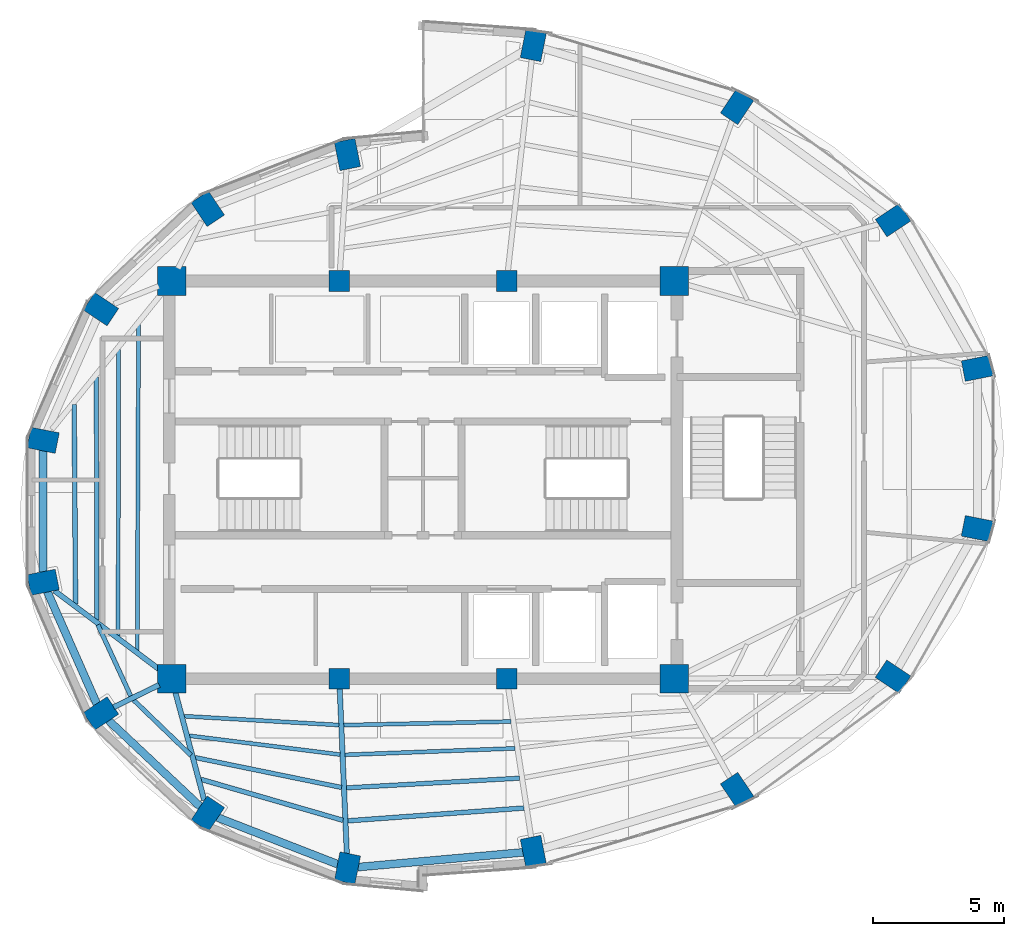
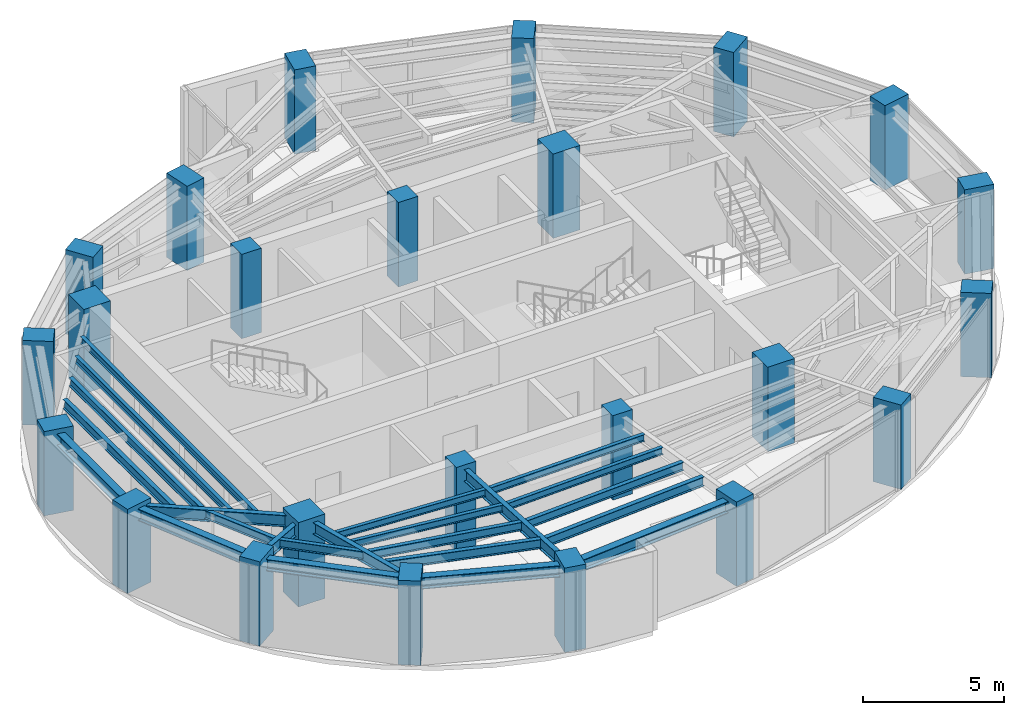
# One storey, part 1 of 15: 24 columns, 23 beams.
"""IFC4 building model written with IfcOpenShell, lengths in metres."""

from ifc_helpers import new_model, si_unit, direction, frame, origin, origin_2d, place, context, subcontext, project, spatial, rectangle, i_section, extrude, material, material_profile, profile_set, type_object, element, save


model = new_model("IFC4")

# Units and contexts
model_context = context("Model", 3, precision=1e-05, world=origin(), true_north=direction((0.0, 1.0)))
body_context = subcontext(model_context, "Body", "Model", "MODEL_VIEW")
ifc_project = project(units=[si_unit("LENGTHUNIT", "METRE"), si_unit("AREAUNIT", "SQUARE_METRE"), si_unit("VOLUMEUNIT", "CUBIC_METRE"), si_unit("PLANEANGLEUNIT", "RADIAN"), si_unit("MASSUNIT", "GRAM", prefix="KILO")], contexts=[model_context])

# Site, building, storey
site_placement = place(None, origin())
site = spatial("IfcSite", under=ifc_project, at=site_placement, CompositionType="ELEMENT")
building_placement = place(site_placement, origin())
building = spatial("IfcBuilding", under=site, at=building_placement, Name="Lazwardi Medical Tower", CompositionType="ELEMENT")
storey_placement = place(building_placement, frame((0.0, 0.0, 280.56005859375)))
storey = spatial("IfcBuildingStorey", under=building, at=storey_placement, Name="L73", CompositionType="ELEMENT", Elevation=280.56005859375)

# Columns
ifc_material_1 = material(Name="Concrete C80/95", Category="concrete")
ifc_material_profile_1 = material_profile(ifc_material_1, rectangle(XDim=1.10009765625, YDim=1.10009765625, at=origin_2d()), Name="RC 1100x1100")
ifc_profile_set_1 = profile_set([ifc_material_profile_1], Name="Concrete C80/95")
column_type_1 = type_object("IfcColumnType", Name="COL-CC-L", PredefinedType="COLUMN", material=ifc_profile_set_1)
for number, where, z_axis, x_axis, name in (
    (1, (26.39990234375, 20.39990234375, 0.0), (0.0, 0.0, 1.0), (1.0, 0.0, 0.0), "Core column CC-01 CC1 L73"),
    (2, (45.60009765625, 20.39990234375, 0.0), (0.0, 0.0, 1.0), (1.0, 0.0, 0.0), "Core column CC-01 CC4 L73"),
    (3, (45.60009765625, 35.60009765625, 0.0), (0.0, 0.0, 1.0), (1.0, 0.0, 0.0), "Core column CC-01 CC5 L73"),
    (4, (26.39990234375, 35.60009765625, 0.0), (0.0, 0.0, 1.0), (1.0, 0.0, 0.0), "Core column CC-01 CC8 L73"),
):
    element("IfcColumn", number, at=place(storey_placement, frame(where, z_axis=z_axis, x_axis=x_axis)), inside=storey, type_object=column_type_1, Name=name, PredefinedType="COLUMN", context=body_context, shape_type="SweptSolid", body=[
        extrude(rectangle(XDim=1.10009765625, YDim=1.10009765625, at=origin_2d()), origin(), (0.0, 0.0, 1.0), 3.64794921875),
    ])
ifc_material_2 = material(Name="Concrete C60/75", Category="concrete")
ifc_material_profile_2 = material_profile(ifc_material_2, rectangle(XDim=0.800048828125, YDim=0.800048828125, at=origin_2d()), Name="RC 800x800")
ifc_profile_set_2 = profile_set([ifc_material_profile_2], Name="Concrete C60/75")
column_type_2 = type_object("IfcColumnType", Name="COL-CC-U", PredefinedType="COLUMN", material=ifc_profile_set_2)
for number, where, z_axis, x_axis, name in (
    (5, (32.800048828125, 20.39990234375, 0.0), (0.0, 0.0, 1.0), (1.0, 0.0, 0.0), "Core column CC-03 CC2 L73"),
    (6, (39.199951171875, 20.39990234375, 0.0), (0.0, 0.0, 1.0), (1.0, 0.0, 0.0), "Core column CC-03 CC3 L73"),
    (7, (39.199951171875, 35.60009765625, 0.0), (0.0, 0.0, 1.0), (1.0, 0.0, 0.0), "Core column CC-03 CC6 L73"),
    (8, (32.800048828125, 35.60009765625, 0.0), (0.0, 0.0, 1.0), (1.0, 0.0, 0.0), "Core column CC-03 CC7 L73"),
):
    element("IfcColumn", number, at=place(storey_placement, frame(where, z_axis=z_axis, x_axis=x_axis)), inside=storey, type_object=column_type_2, Name=name, PredefinedType="COLUMN", context=body_context, shape_type="SweptSolid", body=[
        extrude(rectangle(XDim=0.800048828125, YDim=0.800048828125, at=origin_2d()), origin(), (0.0, 0.0, 1.0), 3.64794921875),
    ])
ifc_material_profile_3 = material_profile(ifc_material_2, rectangle(XDim=1.10009765625, YDim=0.800048828125, at=origin_2d()), Name="CFT-RECT 1100x800")
ifc_profile_set_3 = profile_set([ifc_material_profile_3], Name="Concrete C60/75")
column_type_3 = type_object("IfcColumnType", Name="COL-MC-Z4", PredefinedType="COLUMN", material=ifc_profile_set_3)
for number, where, z_axis, x_axis, name in (
    (9, (40.214111328125, 13.8017578125, 0.0), (0.0, 0.0, 1.0), (0.195090322016, -0.980785280403, 0.0), "Mega column MC-06 M01 L73"),
    (10, (48.000244140625, 16.14599609375, 0.0), (0.0, 0.0, 1.0), (0.55557023302, -0.831469612303, 0.0), "Mega column MC-06 M02 L73"),
    (11, (53.959716796875, 20.4775390625, 0.0), (0.0, 0.0, 1.0), (0.831469612303, -0.55557023302, 0.0), "Mega column MC-06 M03 L73"),
    (12, (57.18505859375, 26.13720703125, 0.0), (0.0, 0.0, 1.0), (0.980785280403, -0.195090322016, 0.0), "Mega column MC-06 M04 L73"),
    (13, (57.18505859375, 32.262939453125, 0.0), (0.0, 0.0, 1.0), (0.980785280403, 0.195090322016, 0.0), "Mega column MC-06 M05 L73"),
    (14, (53.959716796875, 37.922607421875, 0.0), (0.0, 0.0, 1.0), (0.831469612303, 0.55557023302, 0.0), "Mega column MC-06 M06 L73"),
    (15, (48.000244140625, 42.254150390625, 0.0), (0.0, 0.0, 1.0), (0.55557023302, 0.831469612303, 0.0), "Mega column MC-06 M07 L73"),
    (16, (40.214111328125, 44.598388671875, 0.0), (0.0, 0.0, 1.0), (0.195090322016, 0.980785280403, 0.0), "Mega column MC-06 M08 L73"),
    (17, (33.11279296875, 40.432861328125, 0.0), (0.0, 0.0, 1.0), (-0.195090322016, 0.980785280403, 0.0), "Mega column MC-06 M09 L73"),
    (18, (27.777587890625, 38.357421875, 0.0), (0.0, 0.0, 1.0), (-0.55557023302, 0.831469612303, 0.0), "Mega column MC-06 M10 L73"),
    (19, (23.694091796875, 34.5224609375, 0.0), (0.0, 0.0, 1.0), (-0.831469612303, 0.55557023302, 0.0), "Mega column MC-06 M11 L73"),
    (20, (21.484375, 29.51171875, 0.0), (0.0, 0.0, 1.0), (-0.980785280403, 0.195090322016, 0.0), "Mega column MC-06 M12 L73"),
    (21, (21.484375, 24.088134765625, 0.0), (0.0, 0.0, 1.0), (-0.980785280403, -0.195090322016, 0.0), "Mega column MC-06 M13 L73"),
    (22, (23.694091796875, 19.07763671875, 0.0), (0.0, 0.0, 1.0), (-0.831469612303, -0.55557023302, 0.0), "Mega column MC-06 M14 L73"),
    (23, (27.777587890625, 15.24267578125, 0.0), (0.0, 0.0, 1.0), (-0.55557023302, -0.831469612303, 0.0), "Mega column MC-06 M15 L73"),
    (24, (33.11279296875, 13.1669921875, 0.0), (0.0, 0.0, 1.0), (-0.195090322016, -0.980785280403, 0.0), "Mega column MC-06 M16 L73"),
):
    element("IfcColumn", number, at=place(storey_placement, frame(where, z_axis=z_axis, x_axis=x_axis)), inside=storey, type_object=column_type_3, Name=name, PredefinedType="COLUMN", context=body_context, shape_type="SweptSolid", body=[
        extrude(rectangle(XDim=1.10009765625, YDim=0.800048828125, at=origin_2d()), origin(), (0.0, 0.0, 1.0), 3.64794921875),
    ])

# Beams
ifc_material_3 = material(Name="Steel S355", Category="steel")
ifc_material_profile_4 = material_profile(ifc_material_3, i_section(OverallWidth=0.300048828125, OverallDepth=0.5, WebThickness=0.014404296875, FlangeThickness=0.028076171875, at=origin_2d()), Name="HEB 500")
ifc_profile_set_4 = profile_set([ifc_material_profile_4], Name="Steel S355")
beam_type_1 = type_object("IfcBeamType", Name="BM-RB-Z4", PredefinedType="BEAM", material=ifc_profile_set_4)
beam_1_placement = place(storey_placement, frame((21.484375, 29.121826171875, 3.197998046875), z_axis=(0.0, -1.0, 0.0), x_axis=(1.0, 0.0, 0.0)))
element("IfcBeam", 25, at=beam_1_placement, inside=storey, type_object=beam_type_1, Name="Ring beam RB-05 B12 L73", PredefinedType="BEAM", context=body_context, shape_type="SweptSolid", body=[
    extrude(i_section(OverallWidth=0.300048828125, OverallDepth=0.5, WebThickness=0.014404296875, FlangeThickness=0.028076171875, at=origin_2d()), origin(), (0.0, 0.0, 1.0), 4.6435546875),
])
beam_2_placement = place(storey_placement, frame((21.641845703125, 23.7314453125, 3.197998046875), z_axis=(0.403503258239, -0.914978207713, 0.0), x_axis=(0.914978207713, 0.403503258239, 0.0)))
element("IfcBeam", 26, at=beam_2_placement, inside=storey, type_object=beam_type_1, Name="Ring beam RB-05 B13 L73", PredefinedType="BEAM", context=body_context, shape_type="SweptSolid", body=[
    extrude(i_section(OverallWidth=0.300048828125, OverallDepth=0.5, WebThickness=0.014404296875, FlangeThickness=0.028076171875, at=origin_2d()), origin(), (0.0, 0.0, 1.0), 4.696533203125),
])
beam_3_placement = place(storey_placement, frame((23.978515625, 18.810546875, 3.197998046875), z_axis=(0.728935349177, -0.684582541934, 0.0), x_axis=(0.684582541934, 0.728935349177, 0.0)))
element("IfcBeam", 27, at=beam_3_placement, inside=storey, type_object=beam_type_1, Name="Ring beam RB-05 B14 L73", PredefinedType="BEAM", context=body_context, shape_type="SweptSolid", body=[
    extrude(i_section(OverallWidth=0.300048828125, OverallDepth=0.5, WebThickness=0.014404296875, FlangeThickness=0.028076171875, at=origin_2d()), origin(), (0.0, 0.0, 1.0), 4.822021484375),
])
beam_4_placement = place(storey_placement, frame((28.14111328125, 15.101318359375, 3.197998046875), z_axis=(0.931959260109, -0.362563011761, 0.0), x_axis=(0.362563011761, 0.931959260109, 0.0)))
element("IfcBeam", 28, at=beam_4_placement, inside=storey, type_object=beam_type_1, Name="Ring beam RB-05 B15 L73", PredefinedType="BEAM", context=body_context, shape_type="SweptSolid", body=[
    extrude(i_section(OverallWidth=0.300048828125, OverallDepth=0.5, WebThickness=0.014404296875, FlangeThickness=0.028076171875, at=origin_2d()), origin(), (0.0, 0.0, 1.0), 4.944580078125),
])
beam_5_placement = place(storey_placement, frame((33.501220703125, 13.201904296875, 3.197998046875), z_axis=(0.996030403479, 0.089013680669, 0.0), x_axis=(-0.089013680669, 0.996030403479, 0.0)))
element("IfcBeam", 29, at=beam_5_placement, inside=storey, type_object=beam_type_1, Name="Ring beam RB-05 B16 L73", PredefinedType="BEAM", context=body_context, shape_type="SweptSolid", body=[
    extrude(i_section(OverallWidth=0.300048828125, OverallDepth=0.5, WebThickness=0.014404296875, FlangeThickness=0.028076171875, at=origin_2d()), origin(), (0.0, 0.0, 1.0), 6.349365234375),
])
ifc_material_profile_5 = material_profile(ifc_material_3, i_section(OverallWidth=0.199951171875, OverallDepth=0.5, WebThickness=0.01025390625, FlangeThickness=0.01611328125, at=origin_2d()), Name="IPE 500")
ifc_profile_set_5 = profile_set([ifc_material_profile_5], Name="Steel S355")
beam_type_2 = type_object("IfcBeamType", Name="BM-RG-W3", PredefinedType="BEAM", material=ifc_profile_set_5)
beam_6_placement = place(storey_placement, frame((21.912353515625, 23.76708984375, 3.197998046875), z_axis=(0.79990185954, -0.600130831657, 0.0), x_axis=(0.600130831657, 0.79990185954, 0.0)))
element("IfcBeam", 30, at=beam_6_placement, inside=storey, type_object=beam_type_2, Name="Radial girder RG-04 R13 L73", PredefinedType="BEAM", context=body_context, shape_type="SweptSolid", body=[
    extrude(i_section(OverallWidth=0.199951171875, OverallDepth=0.5, WebThickness=0.01025390625, FlangeThickness=0.01611328125, at=origin_2d()), origin(), (0.0, 0.0, 1.0), 5.075439453125),
])
beam_7_placement = place(storey_placement, frame((24.1748046875, 19.3125, 3.197998046875), z_axis=(0.898439482653, 0.43909736507, 0.0), x_axis=(-0.43909736507, 0.898439482653, 0.0)))
element("IfcBeam", 31, at=beam_7_placement, inside=storey, type_object=beam_type_2, Name="Radial girder RG-04 R14 L73", PredefinedType="BEAM", context=body_context, shape_type="SweptSolid", body=[
    extrude(i_section(OverallWidth=0.199951171875, OverallDepth=0.5, WebThickness=0.01025390625, FlangeThickness=0.01611328125, at=origin_2d()), origin(), (0.0, 0.0, 1.0), 1.941650390625),
])
beam_8_placement = place(storey_placement, frame((27.639404296875, 15.759521484375, 3.197998046875), z_axis=(-0.25803645922, 0.966135179834, 0.0), x_axis=(-0.966135179834, -0.25803645922, 0.0)))
element("IfcBeam", 32, at=beam_8_placement, inside=storey, type_object=beam_type_2, Name="Radial girder RG-04 R15 L73", PredefinedType="BEAM", context=body_context, shape_type="SweptSolid", body=[
    extrude(i_section(OverallWidth=0.199951171875, OverallDepth=0.5, WebThickness=0.01025390625, FlangeThickness=0.01611328125, at=origin_2d()), origin(), (0.0, 0.0, 1.0), 4.26806640625),
])
beam_9_placement = place(storey_placement, frame((33.089599609375, 13.70166015625, 3.197998046875), z_axis=(-0.043190778794, 0.999066842923, 0.0), x_axis=(-0.999066842923, -0.043190778794, 0.0)))
element("IfcBeam", 33, at=beam_9_placement, inside=storey, type_object=beam_type_2, Name="Radial girder RG-04 R16 L73", PredefinedType="BEAM", context=body_context, shape_type="SweptSolid", body=[
    extrude(i_section(OverallWidth=0.199951171875, OverallDepth=0.5, WebThickness=0.01025390625, FlangeThickness=0.01611328125, at=origin_2d()), origin(), (0.0, 0.0, 1.0), 6.319580078125),
])
ifc_material_profile_6 = material_profile(ifc_material_3, i_section(OverallWidth=0.179931640625, OverallDepth=0.39990234375, WebThickness=0.008544921875, FlangeThickness=0.013427734375, at=origin_2d()), Name="IPE 400")
ifc_profile_set_6 = profile_set([ifc_material_profile_6], Name="Steel S355")
beam_type_3 = type_object("IfcBeamType", Name="BM-SJ-01", PredefinedType="JOIST", material=ifc_profile_set_6)
beam_10_placement = place(storey_placement, frame((22.669921875, 30.88427734375, 3.248046875), z_axis=(0.007038023905, -0.999975232803, 0.0), x_axis=(0.999975232803, 0.007038023905, 0.0)))
element("IfcBeam", 34, at=beam_10_placement, inside=storey, type_object=beam_type_3, Name="Secondary joist SJ-01 R1 B12 L73", PredefinedType="JOIST", context=body_context, shape_type="SweptSolid", body=[
    extrude(i_section(OverallWidth=0.179931640625, OverallDepth=0.39990234375, WebThickness=0.008544921875, FlangeThickness=0.013427734375, at=origin_2d()), origin(), (0.0, 0.0, 1.0), 7.631591796875),
])
beam_11_placement = place(storey_placement, frame((27.510498046875, 16.557861328125, 3.248046875), z_axis=(0.960828455467, -0.277143787887, 0.0), x_axis=(0.277143787887, 0.960828455467, 0.0)))
element("IfcBeam", 35, at=beam_11_placement, inside=storey, type_object=beam_type_3, Name="Secondary joist SJ-01 R1 B15 L73", PredefinedType="JOIST", context=body_context, shape_type="SweptSolid", body=[
    extrude(i_section(OverallWidth=0.179931640625, OverallDepth=0.39990234375, WebThickness=0.008544921875, FlangeThickness=0.013427734375, at=origin_2d()), origin(), (0.0, 0.0, 1.0), 5.654541015625),
])
beam_12_placement = place(storey_placement, frame((33.129638671875, 14.97119140625, 3.248046875), z_axis=(0.997360105889, 0.072614180298, 0.0), x_axis=(-0.072614180298, 0.997360105889, 0.0)))
element("IfcBeam", 36, at=beam_12_placement, inside=storey, type_object=beam_type_3, Name="Secondary joist SJ-01 R1 B16 L73", PredefinedType="JOIST", context=body_context, shape_type="SweptSolid", body=[
    extrude(i_section(OverallWidth=0.179931640625, OverallDepth=0.39990234375, WebThickness=0.008544921875, FlangeThickness=0.013427734375, at=origin_2d()), origin(), (0.0, 0.0, 1.0), 6.751220703125),
])
ifc_material_profile_7 = material_profile(ifc_material_3, i_section(OverallWidth=0.169921875, OverallDepth=0.360107421875, WebThickness=0.008056640625, FlangeThickness=0.0126953125, at=origin_2d()), Name="IPE 360")
ifc_profile_set_7 = profile_set([ifc_material_profile_7], Name="Steel S355")
beam_type_4 = type_object("IfcBeamType", Name="BM-SJ-02", PredefinedType="JOIST", material=ifc_profile_set_7)
beam_13_placement = place(storey_placement, frame((23.51806640625, 31.935302734375, 3.267822265625), z_axis=(0.001918121439, -0.999998160403, 0.0), x_axis=(0.999998160403, 0.001918121439, 0.0)))
element("IfcBeam", 37, at=beam_13_placement, inside=storey, type_object=beam_type_4, Name="Secondary joist SJ-02 R2 B12 L73", PredefinedType="JOIST", context=body_context, shape_type="SweptSolid", body=[
    extrude(i_section(OverallWidth=0.169921875, OverallDepth=0.360107421875, WebThickness=0.008056640625, FlangeThickness=0.0126953125, at=origin_2d()), origin(), (0.0, 0.0, 1.0), 9.29150390625),
])
beam_14_placement = place(storey_placement, frame((23.575927734375, 22.46240234375, 3.267822265625), z_axis=(0.419120130681, -0.907930788143, 0.0), x_axis=(0.907930788143, 0.419120130681, 0.0)))
element("IfcBeam", 38, at=beam_14_placement, inside=storey, type_object=beam_type_4, Name="Secondary joist SJ-02 R2 B13 L73", PredefinedType="JOIST", context=body_context, shape_type="SweptSolid", body=[
    extrude(i_section(OverallWidth=0.169921875, OverallDepth=0.360107421875, WebThickness=0.008056640625, FlangeThickness=0.0126953125, at=origin_2d()), origin(), (0.0, 0.0, 1.0), 2.998779296875),
])
beam_15_placement = place(storey_placement, frame((24.94091796875, 19.587646484375, 3.267822265625), z_axis=(0.719630919159, -0.694356781626, 0.0), x_axis=(0.694356781626, 0.719630919159, 0.0)))
element("IfcBeam", 39, at=beam_15_placement, inside=storey, type_object=beam_type_4, Name="Secondary joist SJ-02 R2 B14 L73", PredefinedType="JOIST", context=body_context, shape_type="SweptSolid", body=[
    extrude(i_section(OverallWidth=0.169921875, OverallDepth=0.360107421875, WebThickness=0.008056640625, FlangeThickness=0.0126953125, at=origin_2d()), origin(), (0.0, 0.0, 1.0), 3.042724609375),
])
beam_16_placement = place(storey_placement, frame((27.2919921875, 17.389892578125, 3.267822265625), z_axis=(0.979738197465, -0.200282461608, 0.0), x_axis=(0.200282461608, 0.979738197465, 0.0)))
element("IfcBeam", 40, at=beam_16_placement, inside=storey, type_object=beam_type_4, Name="Secondary joist SJ-02 R2 B15 L73", PredefinedType="JOIST", context=body_context, shape_type="SweptSolid", body=[
    extrude(i_section(OverallWidth=0.169921875, OverallDepth=0.360107421875, WebThickness=0.008056640625, FlangeThickness=0.0126953125, at=origin_2d()), origin(), (0.0, 0.0, 1.0), 5.7109375),
])
beam_17_placement = place(storey_placement, frame((33.0751953125, 16.232421875, 3.267822265625), z_axis=(0.998451835098, 0.055623133576, 0.0), x_axis=(-0.055623133576, 0.998451835098, 0.0)))
element("IfcBeam", 41, at=beam_17_placement, inside=storey, type_object=beam_type_4, Name="Secondary joist SJ-02 R2 B16 L73", PredefinedType="JOIST", context=body_context, shape_type="SweptSolid", body=[
    extrude(i_section(OverallWidth=0.169921875, OverallDepth=0.360107421875, WebThickness=0.008056640625, FlangeThickness=0.0126953125, at=origin_2d()), origin(), (0.0, 0.0, 1.0), 6.623291015625),
])
ifc_material_profile_8 = material_profile(ifc_material_3, i_section(OverallWidth=0.14990234375, OverallDepth=0.300048828125, WebThickness=0.007080078125, FlangeThickness=0.0107421875, at=origin_2d()), Name="IPE 300")
ifc_profile_set_8 = profile_set([ifc_material_profile_8], Name="Steel S355")
beam_type_5 = type_object("IfcBeamType", Name="BM-SJ-03", PredefinedType="JOIST", material=ifc_profile_set_8)
beam_18_placement = place(storey_placement, frame((24.366455078125, 32.986572265625, 3.2978515625), z_axis=(-0.001649574216, -0.999998639452, 0.0), x_axis=(0.999998639452, -0.001649574216, 0.0)))
element("IfcBeam", 42, at=beam_18_placement, inside=storey, type_object=beam_type_5, Name="Secondary joist SJ-03 R3 B12 L73", PredefinedType="JOIST", context=body_context, shape_type="SweptSolid", body=[
    extrude(i_section(OverallWidth=0.14990234375, OverallDepth=0.300048828125, WebThickness=0.007080078125, FlangeThickness=0.0107421875, at=origin_2d()), origin(), (0.0, 0.0, 1.0), 10.9521484375),
])
beam_19_placement = place(storey_placement, frame((27.072998046875, 18.221923828125, 3.2978515625), z_axis=(0.992269460733, -0.124102043887, 0.0), x_axis=(0.124102043887, 0.992269460733, 0.0)))
element("IfcBeam", 43, at=beam_19_placement, inside=storey, type_object=beam_type_5, Name="Secondary joist SJ-03 R3 B15 L73", PredefinedType="JOIST", context=body_context, shape_type="SweptSolid", body=[
    extrude(i_section(OverallWidth=0.14990234375, OverallDepth=0.300048828125, WebThickness=0.007080078125, FlangeThickness=0.0107421875, at=origin_2d()), origin(), (0.0, 0.0, 1.0), 5.803466796875),
])
beam_20_placement = place(storey_placement, frame((33.020751953125, 17.493408203125, 3.2978515625), z_axis=(0.999278116384, 0.037990079181, 0.0), x_axis=(-0.037990079181, 0.999278116384, 0.0)))
element("IfcBeam", 44, at=beam_20_placement, inside=storey, type_object=beam_type_5, Name="Secondary joist SJ-03 R3 B16 L73", PredefinedType="JOIST", context=body_context, shape_type="SweptSolid", body=[
    extrude(i_section(OverallWidth=0.14990234375, OverallDepth=0.300048828125, WebThickness=0.007080078125, FlangeThickness=0.0107421875, at=origin_2d()), origin(), (0.0, 0.0, 1.0), 6.4970703125),
])
beam_21_placement = place(storey_placement, frame((25.1298828125, 33.9326171875, 3.2978515625), z_axis=(-0.004060302734, -0.999991756937, 0.0), x_axis=(0.999991756937, -0.004060302734, 0.0)))
element("IfcBeam", 45, at=beam_21_placement, inside=storey, type_object=beam_type_5, Name="Secondary joist SJ-03 R4 B12 L73", PredefinedType="JOIST", context=body_context, shape_type="SweptSolid", body=[
    extrude(i_section(OverallWidth=0.14990234375, OverallDepth=0.300048828125, WebThickness=0.007080078125, FlangeThickness=0.0107421875, at=origin_2d()), origin(), (0.0, 0.0, 1.0), 12.446533203125),
])
beam_22_placement = place(storey_placement, frame((26.875244140625, 18.970458984375, 3.2978515625), z_axis=(0.998360639354, -0.057236647244, 0.0), x_axis=(0.057236647244, 0.998360639354, 0.0)))
element("IfcBeam", 46, at=beam_22_placement, inside=storey, type_object=beam_type_5, Name="Secondary joist SJ-03 R4 B15 L73", PredefinedType="JOIST", context=body_context, shape_type="SweptSolid", body=[
    extrude(i_section(OverallWidth=0.14990234375, OverallDepth=0.300048828125, WebThickness=0.007080078125, FlangeThickness=0.0107421875, at=origin_2d()), origin(), (0.0, 0.0, 1.0), 5.916259765625),
])
beam_23_placement = place(storey_placement, frame((32.9716796875, 18.62841796875, 3.2978515625), z_axis=(0.999768300197, 0.021525471452, 0.0), x_axis=(-0.021525471452, 0.999768300197, 0.0)))
element("IfcBeam", 47, at=beam_23_placement, inside=storey, type_object=beam_type_5, Name="Secondary joist SJ-03 R4 B16 L73", PredefinedType="JOIST", context=body_context, shape_type="SweptSolid", body=[
    extrude(i_section(OverallWidth=0.14990234375, OverallDepth=0.300048828125, WebThickness=0.007080078125, FlangeThickness=0.0107421875, at=origin_2d()), origin(), (0.0, 0.0, 1.0), 6.385498046875),
])

save(model, "model.ifc")
